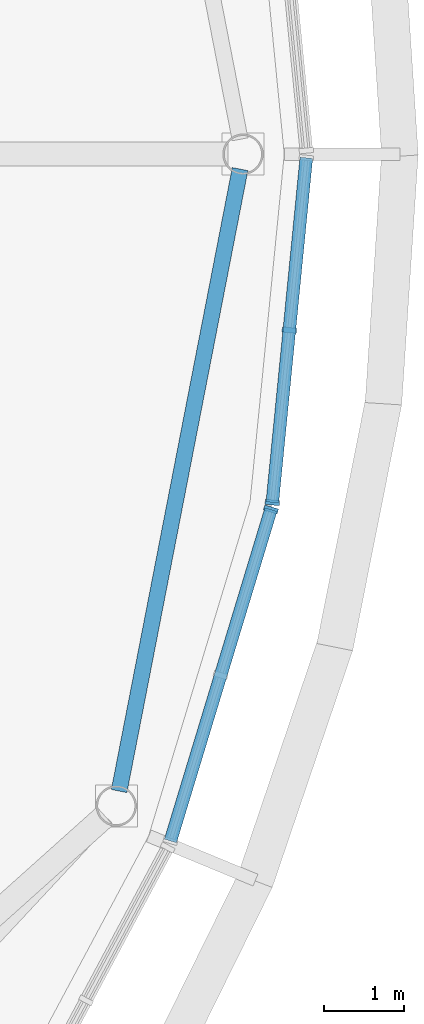
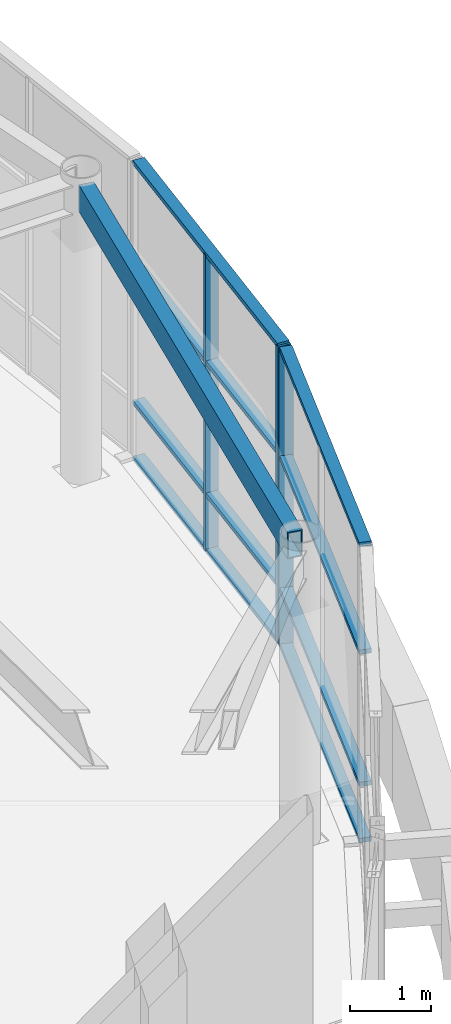
# One storey, part 29 of 72: 11 members, 1 beam, 2 elements without a shape of their own.
"""IFC4 building model written with IfcOpenShell, lengths in metres."""

from ifc_helpers import new_model, si_unit, direction, frame, origin, origin_2d, place, context, subcontext, project, spatial, rectangle, hollow_rectangle, extrude, material, layer, layer_set, material_profile, profile_set, type_object, element, aggregate, save


model = new_model("IFC4")

# Units and contexts
model_context = context("Model", 3, precision=1e-05, world=origin(), true_north=direction((0.0, 1.0)))
body_context = subcontext(model_context, "Body", "Model", "MODEL_VIEW")
ifc_project = project(units=[si_unit("LENGTHUNIT", "METRE"), si_unit("AREAUNIT", "SQUARE_METRE"), si_unit("VOLUMEUNIT", "CUBIC_METRE"), si_unit("PLANEANGLEUNIT", "RADIAN"), si_unit("MASSUNIT", "GRAM", prefix="KILO")], contexts=[model_context])

# Site, building, storey
site_placement = place(None, origin())
site = spatial("IfcSite", under=ifc_project, at=site_placement, CompositionType="ELEMENT")
building_placement = place(site_placement, origin())
building = spatial("IfcBuilding", under=site, at=building_placement, Name="Keelwater Ferry Terminal", CompositionType="ELEMENT")
storey_placement = place(building_placement, frame((0.0, 0.0, 5.39990234375)))
storey = spatial("IfcBuildingStorey", under=building, at=storey_placement, Name="L01", CompositionType="ELEMENT", Elevation=5.39990234375)

# Curtain wall, member
ifc_material_1 = material(Name="Thermally broken unitised aluminium and triple glass", Category="aluminium")
ifc_layer = layer(ifc_material_1, 0.179931640625)
ifc_layer_set = layer_set([ifc_layer], Name="Thermally broken unitised aluminium and triple glass")
curtain_wall_type = type_object("IfcCurtainWallType", Name="CW-19 Unitised Curtain Wall 4350x4480", PredefinedType="USERDEFINED", material=ifc_layer_set)
curtain_wall_1_placement = place(storey_placement, origin())
curtain_wall_1 = element("IfcCurtainWall", 1, at=curtain_wall_1_placement, inside=storey, type_object=curtain_wall_type, Name="Unitised Curtain Wall CW-L01-131", ObjectType="UNITISED CURTAIN WALL", PredefinedType="USERDEFINED")
ifc_material_2 = material(Name="Aluminium mullion", Category="aluminium")
ifc_material_profile_1 = material_profile(ifc_material_2, rectangle(XDim=0.06494140625, YDim=0.179931640625, at=origin_2d()), Name="CWM-01")
ifc_profile_set_1 = profile_set([ifc_material_profile_1], Name="Aluminium mullion")
member_type_1 = type_object("IfcMemberType", Name="CWM-01 Curtain Mullion 65x180", PredefinedType="MULLION", material=ifc_profile_set_1)
member_1_placement = place(storey_placement, frame((186.201904296875, 61.5380859375, 0.0), z_axis=(0.0, 0.0, 1.0), x_axis=(0.290319989003, 0.956929623319, 0.0)))
member_1 = element("IfcMember", 2, at=member_1_placement, type_object=member_type_1, Name="CW-L01-131 Mullion 3", PredefinedType="MULLION", context=body_context, shape_type="SweptSolid", body=[
    extrude(rectangle(XDim=0.06494140625, YDim=0.179931640625, at=origin_2d()), origin(), (0.0, 0.0, 1.0), 4.47998046875),
])

# Curtain wall, members
curtain_wall_2_placement = place(storey_placement, origin())
curtain_wall_2 = element("IfcCurtainWall", 3, at=curtain_wall_2_placement, inside=storey, type_object=curtain_wall_type, Name="Unitised Curtain Wall CW-L01-132", ObjectType="UNITISED CURTAIN WALL", PredefinedType="USERDEFINED")
member_2_placement = place(storey_placement, frame((186.218994140625, 61.6259765625, 0.0), z_axis=(0.0, 0.0, 1.0), x_axis=(0.098160737969, 0.995170573079, 0.0)))
member_2 = element("IfcMember", 4, at=member_2_placement, type_object=member_type_1, Name="CW-L01-132 Mullion 1", PredefinedType="MULLION", context=body_context, shape_type="SweptSolid", body=[
    extrude(rectangle(XDim=0.06494140625, YDim=0.179931640625, at=origin_2d()), origin(), (0.0, 0.0, 1.0), 4.47998046875),
])
member_3_placement = place(storey_placement, frame((186.4326171875, 63.79052734375, 0.0), z_axis=(0.0, 0.0, 1.0), x_axis=(0.098160737969, 0.995170573079, 0.0)))
member_3 = element("IfcMember", 5, at=member_3_placement, type_object=member_type_1, Name="CW-L01-132 Mullion 2", PredefinedType="MULLION", context=body_context, shape_type="SweptSolid", body=[
    extrude(rectangle(XDim=0.06494140625, YDim=0.179931640625, at=origin_2d()), origin(), (0.0, 0.0, 1.0), 4.47998046875),
])

# Member
ifc_material_3 = material(Name="Aluminium mullion", Category="aluminium")
ifc_material_profile_2 = material_profile(ifc_material_3, rectangle(XDim=0.159912109375, YDim=0.06494140625, at=origin_2d()), Name="CWT-01")
ifc_profile_set_2 = profile_set([ifc_material_profile_2], Name="Aluminium mullion")
member_type_2 = type_object("IfcMemberType", Name="CWT-01 Curtain Transom 65x160", PredefinedType="USERDEFINED", material=ifc_profile_set_2)
member_4_placement = place(storey_placement, frame((184.93896484375, 57.375, 0.0), z_axis=(0.290301756665, 0.956935154583, 0.0), x_axis=(-0.956935154583, 0.290301756665, 0.0)))
member_4 = element("IfcMember", 6, at=member_4_placement, type_object=member_type_2, Name="CW-L01-131 Transom 1", ObjectType="TRANSOM", PredefinedType="USERDEFINED", context=body_context, shape_type="SweptSolid", body=[
    extrude(rectangle(XDim=0.159912109375, YDim=0.06494140625, at=origin_2d()), origin(), (0.0, 0.0, 1.0), 4.350341796875),
])

member_5_placement = place(storey_placement, frame((184.93896484375, 57.375, 0.85009765625), z_axis=(0.290301756665, 0.956935154583, 0.0), x_axis=(-0.956935154583, 0.290301756665, 0.0)))
member_5 = element("IfcMember", 7, at=member_5_placement, type_object=member_type_2, Name="CW-L01-131 Transom 2", ObjectType="TRANSOM", PredefinedType="USERDEFINED", context=body_context, shape_type="SweptSolid", body=[
    extrude(rectangle(XDim=0.159912109375, YDim=0.06494140625, at=origin_2d()), origin(), (0.0, 0.0, 1.0), 4.350341796875),
])

member_6_placement = place(storey_placement, frame((184.93896484375, 57.375, 2.85009765625), z_axis=(0.290301756665, 0.956935154583, 0.0), x_axis=(-0.956935154583, 0.290301756665, 0.0)))
member_6 = element("IfcMember", 8, at=member_6_placement, type_object=member_type_2, Name="CW-L01-131 Transom 3", ObjectType="TRANSOM", PredefinedType="USERDEFINED", context=body_context, shape_type="SweptSolid", body=[
    extrude(rectangle(XDim=0.159912109375, YDim=0.06494140625, at=origin_2d()), origin(), (0.0, 0.0, 1.0), 4.350341796875),
])

member_7_placement = place(storey_placement, frame((184.93896484375, 57.375, 4.47998046875), z_axis=(0.290301756665, 0.956935154583, 0.0), x_axis=(-0.956935154583, 0.290301756665, 0.0)))
member_7 = element("IfcMember", 9, at=member_7_placement, type_object=member_type_2, Name="CW-L01-131 Transom 4", ObjectType="TRANSOM", PredefinedType="USERDEFINED", context=body_context, shape_type="SweptSolid", body=[
    extrude(rectangle(XDim=0.159912109375, YDim=0.06494140625, at=origin_2d()), origin(), (0.0, 0.0, 1.0), 4.350341796875),
])

aggregate(curtain_wall_1, [member_1, member_4, member_5, member_6, member_7])

member_8_placement = place(storey_placement, frame((186.218994140625, 61.6259765625, 0.0), z_axis=(0.098158901932, 0.995170754178, 0.0), x_axis=(-0.995170754178, 0.098158901932, 0.0)))
member_8 = element("IfcMember", 10, at=member_8_placement, type_object=member_type_2, Name="CW-L01-132 Transom 1", ObjectType="TRANSOM", PredefinedType="USERDEFINED", context=body_context, shape_type="SweptSolid", body=[
    extrude(rectangle(XDim=0.159912109375, YDim=0.06494140625, at=origin_2d()), origin(), (0.0, 0.0, 1.0), 4.35009765625),
])

member_9_placement = place(storey_placement, frame((186.218994140625, 61.6259765625, 0.85009765625), z_axis=(0.098158901932, 0.995170754178, 0.0), x_axis=(-0.995170754178, 0.098158901932, 0.0)))
member_9 = element("IfcMember", 11, at=member_9_placement, type_object=member_type_2, Name="CW-L01-132 Transom 2", ObjectType="TRANSOM", PredefinedType="USERDEFINED", context=body_context, shape_type="SweptSolid", body=[
    extrude(rectangle(XDim=0.159912109375, YDim=0.06494140625, at=origin_2d()), origin(), (0.0, 0.0, 1.0), 4.35009765625),
])

member_10_placement = place(storey_placement, frame((186.218994140625, 61.6259765625, 2.85009765625), z_axis=(0.098158901932, 0.995170754178, 0.0), x_axis=(-0.995170754178, 0.098158901932, 0.0)))
member_10 = element("IfcMember", 12, at=member_10_placement, type_object=member_type_2, Name="CW-L01-132 Transom 3", ObjectType="TRANSOM", PredefinedType="USERDEFINED", context=body_context, shape_type="SweptSolid", body=[
    extrude(rectangle(XDim=0.159912109375, YDim=0.06494140625, at=origin_2d()), origin(), (0.0, 0.0, 1.0), 4.35009765625),
])

member_11_placement = place(storey_placement, frame((186.218994140625, 61.6259765625, 4.47998046875), z_axis=(0.098158901932, 0.995170754178, 0.0), x_axis=(-0.995170754178, 0.098158901932, 0.0)))
member_11 = element("IfcMember", 13, at=member_11_placement, type_object=member_type_2, Name="CW-L01-132 Transom 4", ObjectType="TRANSOM", PredefinedType="USERDEFINED", context=body_context, shape_type="SweptSolid", body=[
    extrude(rectangle(XDim=0.159912109375, YDim=0.06494140625, at=origin_2d()), origin(), (0.0, 0.0, 1.0), 4.35009765625),
])

aggregate(curtain_wall_2, [member_2, member_3, member_8, member_9, member_10, member_11])

# Beam
ifc_material_4 = material(Name="Steel S355", Category="steel")
ifc_material_profile_3 = material_profile(ifc_material_4, hollow_rectangle(XDim=0.199951171875, YDim=0.39990234375, WallThickness=0.01611328125, at=origin_2d()), Name="RHS 400x200x16")
ifc_profile_set_3 = profile_set([ifc_material_profile_3], Name="Steel S355")
beam_type = type_object("IfcBeamType", Name="SP3E RHS 400x200x16", PredefinedType="SPANDREL", material=ifc_profile_set_3)
beam_placement = place(storey_placement, frame((185.81396484375, 65.81298828125, 4.320068359375), z_axis=(-0.190897579934, -0.981609960206, 0.0), x_axis=(0.981609960206, -0.190897579934, 0.0)))
element("IfcBeam", 14, at=beam_placement, inside=storey, type_object=beam_type, Name="Beam BM-L01-0975", PredefinedType="SPANDREL", context=body_context, shape_type="SweptSolid", body=[
    extrude(hollow_rectangle(XDim=0.199951171875, YDim=0.39990234375, WallThickness=0.01611328125, at=origin_2d()), origin(), (0.0, 0.0, 1.0), 7.957275390625),
])

save(model, "model.ifc")
